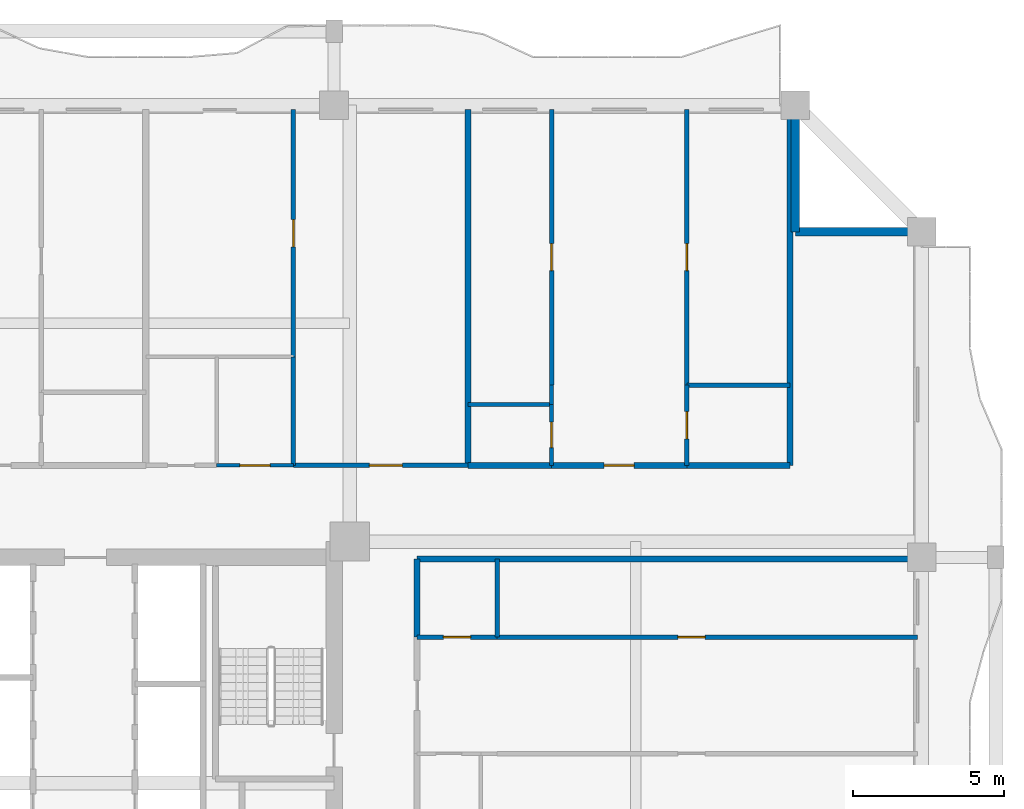
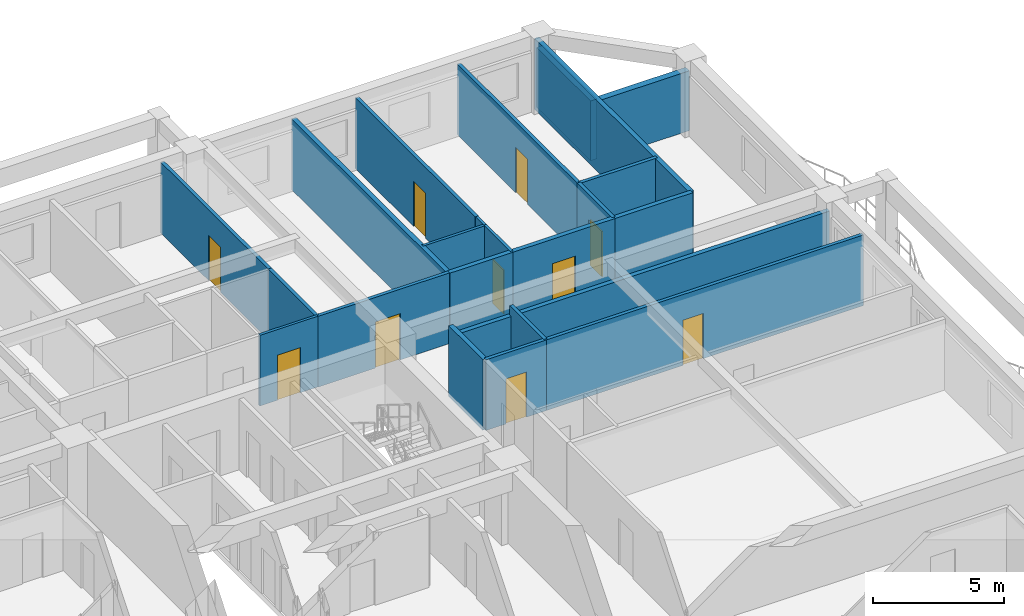
# One storey, part 7 of 17: 23 walls, 10 doors, 10 openings.
"""IFC4 building model written with IfcOpenShell, lengths in metres."""

from ifc_helpers import new_model, si_unit, direction, frame, frame_2d, origin, place, context, subcontext, project, spatial, rectangle, extrude, source, transform, mapped, material, layer, layer_set, type_object, element, fill, save


model = new_model("IFC4")

# Units and contexts
model_context = context("Model", 3, precision=1e-05, world=origin(), true_north=direction((0.0, 1.0)))
body_context = subcontext(model_context, "Body", "Model", "MODEL_VIEW")
ifc_project = project(units=[si_unit("LENGTHUNIT", "METRE"), si_unit("AREAUNIT", "SQUARE_METRE"), si_unit("VOLUMEUNIT", "CUBIC_METRE"), si_unit("PLANEANGLEUNIT", "RADIAN"), si_unit("MASSUNIT", "GRAM", prefix="KILO")], contexts=[model_context])

# Site, building, storey
site_placement = place(None, origin())
site = spatial("IfcSite", under=ifc_project, at=site_placement, CompositionType="ELEMENT")
building_placement = place(site_placement, origin())
building = spatial("IfcBuilding", under=site, at=building_placement, Name="Saelheon Loggia Tower", CompositionType="ELEMENT")
storey_placement = place(building_placement, frame((0.0, 0.0, 74.35009765625)))
storey = spatial("IfcBuildingStorey", under=building, at=storey_placement, Name="L23", CompositionType="ELEMENT", Elevation=74.35009765625)

# Walls
ifc_material_1 = material(Name="Architectural Precast Concrete C40/50", Category="concrete")
ifc_layer_1 = layer(ifc_material_1, 0.280029296875)
ifc_layer_set_1 = layer_set([ifc_layer_1], Name="Architectural Precast Concrete C40/50")
wall_type_1 = type_object("IfcWallType", Name="Wall_Ext_Loggia_280", PredefinedType="SOLIDWALL", material=ifc_layer_set_1)
for number, where, z_axis, x_axis, name in (
    (1, (59.800048828125, 46.800048828125, 0.0), (0.0, 0.0, 1.0), (0.0, 1.0, 0.0), "L23 Corner Notch Precast Wall NE1"),
    (2, (59.800048828125, 46.800048828125, 0.0), (0.0, 0.0, 1.0), (1.0, 0.0, 0.0), "L23 Corner Notch Precast Wall NE2"),
):
    element("IfcWall", number, at=place(storey_placement, frame(where, z_axis=z_axis, x_axis=x_axis)), inside=storey, type_object=wall_type_1, Name=name, PredefinedType="SOLIDWALL", context=body_context, shape_type="SweptSolid", body=[
        extrude(rectangle(XDim=4.119873046875, YDim=0.280029296875, at=frame_2d((2.06005859375, 0.0))), origin(), (0.0, 0.0, 1.0), 2.77978515625),
    ])
ifc_material_2 = material(Name="Lightweight Autoclaved Aerated Concrete Block and Acoustic Gypsum", Category="concrete")
ifc_layer_2 = layer(ifc_material_2, 0.14990234375)
ifc_layer_set_2 = layer_set([ifc_layer_2], Name="Lightweight Autoclaved Aerated Concrete Block and Acoustic Gypsum")
wall_type_2 = type_object("IfcWallType", Name="Wall_Part_150", PredefinedType="PARTITIONING", material=ifc_layer_set_2)
wall_1_placement = place(storey_placement, frame((43.1533203125, 39.050048828125, 0.0), z_axis=(0.0, 0.0, 1.0), x_axis=(0.0, 1.0, 0.0)))
element("IfcWall", 3, at=wall_1_placement, inside=storey, type_object=wall_type_2, Name="L23 N Partition U24", PredefinedType="PARTITIONING", context=body_context, shape_type="SweptSolid", body=[
    extrude(rectangle(XDim=3.599853515625, YDim=0.14990234375, at=frame_2d((1.7998046875, 0.0))), origin(), (0.0, 0.0, 1.0), 3.289794921875),
])

# Wall, opening, door
wall_2_placement = place(storey_placement, frame((43.1533203125, 42.64990234375, 0.0), z_axis=(0.0, 0.0, 1.0), x_axis=(0.0, 1.0, 0.0)))
wall_2 = element("IfcWall", 4, at=wall_2_placement, inside=storey, type_object=wall_type_2, Name="L23 N Partition U25", PredefinedType="PARTITIONING", context=body_context, shape_type="SweptSolid", body=[
    extrude(rectangle(XDim=8.2001953125, YDim=0.14990234375, at=frame_2d((4.10009765625, 0.0))), origin(), (0.0, 0.0, 1.0), 3.289794921875),
])
opening_1_placement = place(wall_2_placement, frame((3.64990234375, 0.0, 0.0)))
opening_1 = element("IfcOpeningElement", 5, at=opening_1_placement, cuts=wall_2, Name="Opening D-IN2", PredefinedType="OPENING", context=body_context, shape_type="SweptSolid", body=[
    extrude(rectangle(XDim=0.89990234375, YDim=2.10009765625, at=frame_2d((0.449951171875, 1.050048828125))), frame((0.0, 0.0869140625, 0.0), z_axis=(0.0, -1.0, 0.0), x_axis=(1.0, 0.0, 0.0)), (0.0, 0.0, 1.0), 0.173828125),
])
ifc_material_3 = material(Name="Engineered Oak Flush Door", Category="timber")
door_type_1 = type_object("IfcDoorType", Name="Door_Int_900", OperationType="NOTDEFINED", PredefinedType="DOOR", material=ifc_material_3)
shared_shape_1 = source(origin(), body_context, "Body", "SweptSolid", [
    extrude(rectangle(XDim=0.89990234375, YDim=2.10009765625, at=frame_2d((0.449951171875, 1.050048828125))), frame((0.0, 0.02490234375, 0.0), z_axis=(0.0, -1.0, 0.0), x_axis=(1.0, 0.0, 0.0)), (0.0, 0.0, 1.0), 0.050048828125),
])
door_1_placement = place(opening_1_placement, origin())
door_1 = element("IfcDoor", 6, at=door_1_placement, inside=storey, type_object=door_type_1, Name="L23 Reading Alcove Door", OperationType="SINGLE_SWING_RIGHT", OverallHeight=2.10009765625, OverallWidth=0.89990234375, PredefinedType="DOOR", context=body_context, shape_type="MappedRepresentation", body=[
    mapped(shared_shape_1, transform((0.0, 0.0, 0.0), scale=1.0)),
])
fill(opening_1, door_1)

wall_3_placement = place(storey_placement, frame((43.1533203125, 39.050048828125, 0.0), z_axis=(0.0, 0.0, 1.0), x_axis=(1.0, 0.0, 0.0)))
wall_3 = element("IfcWall", 7, at=wall_3_placement, inside=storey, type_object=wall_type_2, Name="L23 N Partition V29", PredefinedType="PARTITIONING", context=body_context, shape_type="SweptSolid", body=[
    extrude(rectangle(XDim=5.783203125, YDim=0.14990234375, at=frame_2d((2.8916015625, 0.0))), origin(), (0.0, 0.0, 1.0), 3.289794921875),
])
opening_2_placement = place(wall_3_placement, frame((2.51513671875, 0.0, 0.0)))
opening_2 = element("IfcOpeningElement", 8, at=opening_2_placement, cuts=wall_3, Name="Opening D-FD2", PredefinedType="OPENING", context=body_context, shape_type="SweptSolid", body=[
    extrude(rectangle(XDim=1.10009765625, YDim=2.14990234375, at=frame_2d((0.550048828125, 1.074951171875))), frame((0.0, 0.0869140625, 0.0), z_axis=(0.0, -1.0, 0.0), x_axis=(1.0, 0.0, 0.0)), (0.0, 0.0, 1.0), 0.173828125),
])
ifc_material_4 = material(Name="Galvanised Steel Fire Door", Category="steel")
door_type_2 = type_object("IfcDoorType", Name="Door_Fire_FD60_1100", OperationType="NOTDEFINED", PredefinedType="DOOR", material=ifc_material_4)
shared_shape_2 = source(origin(), body_context, "Body", "SweptSolid", [
    extrude(rectangle(XDim=1.10009765625, YDim=2.14990234375, at=frame_2d((0.550048828125, 1.074951171875))), frame((0.0, 0.02490234375, 0.0), z_axis=(0.0, -1.0, 0.0), x_axis=(1.0, 0.0, 0.0)), (0.0, 0.0, 1.0), 0.050048828125),
])
door_2_placement = place(opening_2_placement, origin())
door_2 = element("IfcDoor", 9, at=door_2_placement, inside=storey, type_object=door_type_2, Name="L23 Public Housing Childcare Playroom Door A", OperationType="SINGLE_SWING_LEFT", OverallHeight=2.14990234375, OverallWidth=1.10009765625, PredefinedType="DOOR", context=body_context, shape_type="MappedRepresentation", body=[
    mapped(shared_shape_2, transform((0.0, 0.0, 0.0), scale=1.0)),
])
fill(opening_2, door_2)

# Wall
wall_4_placement = place(storey_placement, frame((56.201416015625, 41.7099609375, 0.0), z_axis=(0.0, 0.0, 1.0), x_axis=(1.0, 0.0, 0.0)))
element("IfcWall", 10, at=wall_4_placement, inside=storey, type_object=wall_type_2, Name="L23 N Partition V35", PredefinedType="PARTITIONING", context=body_context, shape_type="SweptSolid", body=[
    extrude(rectangle(XDim=3.418701171875, YDim=0.14990234375, at=frame_2d((1.70947265625, 0.0))), origin(), (0.0, 0.0, 1.0), 3.289794921875),
])

# Wall, opening, door
wall_5_placement = place(storey_placement, frame((51.71435546875, 41.7099609375, 0.0), z_axis=(0.0, 0.0, 1.0), x_axis=(0.0, 1.0, 0.0)))
wall_5 = element("IfcWall", 11, at=wall_5_placement, inside=storey, type_object=wall_type_2, Name="L23 N Partition U38", PredefinedType="PARTITIONING", context=body_context, shape_type="SweptSolid", body=[
    extrude(rectangle(XDim=9.14013671875, YDim=0.14990234375, at=frame_2d((4.570068359375, 0.0))), origin(), (0.0, 0.0, 1.0), 3.289794921875),
])
opening_3_placement = place(wall_5_placement, frame((3.796630859375, 0.0, 0.0)))
opening_3 = element("IfcOpeningElement", 12, at=opening_3_placement, cuts=wall_5, Name="Opening D-IN2", PredefinedType="OPENING", context=body_context, shape_type="SweptSolid", body=[
    extrude(rectangle(XDim=0.89990234375, YDim=2.10009765625, at=frame_2d((0.449951171875, 1.050048828125))), frame((0.0, 0.0869140625, 0.0), z_axis=(0.0, -1.0, 0.0), x_axis=(1.0, 0.0, 0.0)), (0.0, 0.0, 1.0), 0.173828125),
])
door_3_placement = place(opening_3_placement, origin())
door_3 = element("IfcDoor", 13, at=door_3_placement, inside=storey, type_object=door_type_1, Name="Unit U02 Bedroom 2 Door", OperationType="SINGLE_SWING_RIGHT", OverallHeight=2.10009765625, OverallWidth=0.89990234375, PredefinedType="DOOR", context=body_context, shape_type="MappedRepresentation", body=[
    mapped(shared_shape_1, transform((0.0, 0.0, 0.0), scale=1.0)),
])
fill(opening_3, door_3)

wall_6_placement = place(storey_placement, frame((56.201416015625, 39.050048828125, 0.0), z_axis=(0.0, 0.0, 1.0), x_axis=(0.0, 1.0, 0.0)))
wall_6 = element("IfcWall", 14, at=wall_6_placement, inside=storey, type_object=wall_type_2, Name="L23 N Partition U39", PredefinedType="PARTITIONING", context=body_context, shape_type="SweptSolid", body=[
    extrude(rectangle(XDim=2.659912109375, YDim=0.14990234375, at=frame_2d((1.330078125, 0.0))), origin(), (0.0, 0.0, 1.0), 3.289794921875),
])
opening_4_placement = place(wall_6_placement, frame((0.8798828125, 0.0, 0.0)))
opening_4 = element("IfcOpeningElement", 15, at=opening_4_placement, cuts=wall_6, Name="Opening D-IN2", PredefinedType="OPENING", context=body_context, shape_type="SweptSolid", body=[
    extrude(rectangle(XDim=0.89990234375, YDim=2.10009765625, at=frame_2d((0.449951171875, 1.050048828125))), frame((0.0, 0.0869140625, 0.0), z_axis=(0.0, -1.0, 0.0), x_axis=(1.0, 0.0, 0.0)), (0.0, 0.0, 1.0), 0.173828125),
])
door_4_placement = place(opening_4_placement, origin())
door_4 = element("IfcDoor", 16, at=door_4_placement, inside=storey, type_object=door_type_1, Name="Unit U02 Kitchen Door", OperationType="SINGLE_SWING_LEFT", OverallHeight=2.10009765625, OverallWidth=0.89990234375, PredefinedType="DOOR", context=body_context, shape_type="MappedRepresentation", body=[
    mapped(shared_shape_1, transform((0.0, 0.0, 0.0), scale=1.0)),
])
fill(opening_4, door_4)

wall_7_placement = place(storey_placement, frame((56.201416015625, 41.7099609375, 0.0), z_axis=(0.0, 0.0, 1.0), x_axis=(0.0, 1.0, 0.0)))
wall_7 = element("IfcWall", 17, at=wall_7_placement, inside=storey, type_object=wall_type_2, Name="L23 N Partition U40", PredefinedType="PARTITIONING", context=body_context, shape_type="SweptSolid", body=[
    extrude(rectangle(XDim=9.14013671875, YDim=0.14990234375, at=frame_2d((4.570068359375, 0.0))), origin(), (0.0, 0.0, 1.0), 3.289794921875),
])
opening_5_placement = place(wall_7_placement, frame((3.796630859375, 0.0, 0.0)))
opening_5 = element("IfcOpeningElement", 18, at=opening_5_placement, cuts=wall_7, Name="Opening D-IN2", PredefinedType="OPENING", context=body_context, shape_type="SweptSolid", body=[
    extrude(rectangle(XDim=0.89990234375, YDim=2.10009765625, at=frame_2d((0.449951171875, 1.050048828125))), frame((0.0, 0.0869140625, 0.0), z_axis=(0.0, -1.0, 0.0), x_axis=(1.0, 0.0, 0.0)), (0.0, 0.0, 1.0), 0.173828125),
])
door_5_placement = place(opening_5_placement, origin())
door_5 = element("IfcDoor", 19, at=door_5_placement, inside=storey, type_object=door_type_1, Name="Unit U02 Bedroom 1 Door", OperationType="SINGLE_SWING_RIGHT", OverallHeight=2.10009765625, OverallWidth=0.89990234375, PredefinedType="DOOR", context=body_context, shape_type="MappedRepresentation", body=[
    mapped(shared_shape_1, transform((0.0, 0.0, 0.0), scale=1.0)),
])
fill(opening_5, door_5)

# Wall
wall_8_placement = place(storey_placement, frame((49.909912109375, 33.35009765625, 0.0), z_axis=(0.0, 0.0, 1.0), x_axis=(0.0, 1.0, 0.0)))
element("IfcWall", 20, at=wall_8_placement, inside=storey, type_object=wall_type_2, Name="L23 E Partition V09", PredefinedType="PARTITIONING", context=body_context, shape_type="SweptSolid", body=[
    extrude(rectangle(XDim=2.599853515625, YDim=0.14990234375, at=frame_2d((1.2998046875, 0.0))), origin(), (0.0, 0.0, 1.0), 3.289794921875),
])

# Wall, opening, door
wall_9_placement = place(storey_placement, frame((47.25, 33.35009765625, 0.0), z_axis=(0.0, 0.0, 1.0), x_axis=(1.0, 0.0, 0.0)))
wall_9 = element("IfcWall", 21, at=wall_9_placement, inside=storey, type_object=wall_type_2, Name="L23 E Partition U13", PredefinedType="PARTITIONING", context=body_context, shape_type="SweptSolid", body=[
    extrude(rectangle(XDim=2.659912109375, YDim=0.14990234375, at=frame_2d((1.330078125, 0.0))), origin(), (0.0, 0.0, 1.0), 3.289794921875),
])
opening_6_placement = place(wall_9_placement, frame((0.8798828125, 0.0, 0.0)))
opening_6 = element("IfcOpeningElement", 22, at=opening_6_placement, cuts=wall_9, Name="Opening D-IN2", PredefinedType="OPENING", context=body_context, shape_type="SweptSolid", body=[
    extrude(rectangle(XDim=0.89990234375, YDim=2.10009765625, at=frame_2d((0.449951171875, 1.050048828125))), frame((0.0, 0.0869140625, 0.0), z_axis=(0.0, -1.0, 0.0), x_axis=(1.0, 0.0, 0.0)), (0.0, 0.0, 1.0), 0.173828125),
])
door_6_placement = place(opening_6_placement, origin())
door_6 = element("IfcDoor", 23, at=door_6_placement, inside=storey, type_object=door_type_1, Name="Unit U04 Dressing Closet Door", OperationType="SINGLE_SWING_LEFT", OverallHeight=2.10009765625, OverallWidth=0.89990234375, PredefinedType="DOOR", context=body_context, shape_type="MappedRepresentation", body=[
    mapped(shared_shape_1, transform((0.0, 0.0, 0.0), scale=1.0)),
])
fill(opening_6, door_6)

wall_10_placement = place(storey_placement, frame((49.909912109375, 33.35009765625, 0.0), z_axis=(0.0, 0.0, 1.0), x_axis=(1.0, 0.0, 0.0)))
wall_10 = element("IfcWall", 24, at=wall_10_placement, inside=storey, type_object=wall_type_2, Name="L23 E Partition U14", PredefinedType="PARTITIONING", context=body_context, shape_type="SweptSolid", body=[
    extrude(rectangle(XDim=13.940185546875, YDim=0.14990234375, at=frame_2d((6.97021484375, 0.0))), origin(), (0.0, 0.0, 1.0), 3.289794921875),
])
opening_7_placement = place(wall_10_placement, frame((5.99658203125, 0.0, 0.0)))
opening_7 = element("IfcOpeningElement", 25, at=opening_7_placement, cuts=wall_10, Name="Opening D-IN2", PredefinedType="OPENING", context=body_context, shape_type="SweptSolid", body=[
    extrude(rectangle(XDim=0.89990234375, YDim=2.10009765625, at=frame_2d((0.449951171875, 1.050048828125))), frame((0.0, 0.0869140625, 0.0), z_axis=(0.0, -1.0, 0.0), x_axis=(1.0, 0.0, 0.0)), (0.0, 0.0, 1.0), 0.173828125),
])
door_7_placement = place(opening_7_placement, origin())
door_7 = element("IfcDoor", 26, at=door_7_placement, inside=storey, type_object=door_type_1, Name="Unit U04 Bedroom 1 Door", OperationType="SINGLE_SWING_RIGHT", OverallHeight=2.10009765625, OverallWidth=0.89990234375, PredefinedType="DOOR", context=body_context, shape_type="MappedRepresentation", body=[
    mapped(shared_shape_1, transform((0.0, 0.0, 0.0), scale=1.0)),
])
fill(opening_7, door_7)

# Walls
ifc_material_5 = material(Name="Double Acoustic Stud and Fireboard Partition", Category="gypsum")
ifc_layer_3 = layer(ifc_material_5, 0.199951171875)
ifc_layer_set_3 = layer_set([ifc_layer_3], Name="Double Acoustic Stud and Fireboard Partition")
wall_type_3 = type_object("IfcWallType", Name="Wall_Party_200", PredefinedType="PARTITIONING", material=ifc_layer_set_3)
for number, where, z_axis, x_axis, name in (
    (27, (59.6201171875, 39.050048828125, 0.0), (0.0, 0.0, 1.0), (0.0, 1.0, 0.0), "L23 N Partition U02"),
    (28, (48.9365234375, 39.050048828125, 0.0), (0.0, 0.0, 1.0), (0.0, 1.0, 0.0), "L23 N Partition U30"),
):
    element("IfcWall", number, at=place(storey_placement, frame(where, z_axis=z_axis, x_axis=x_axis)), inside=storey, type_object=wall_type_3, Name=name, PredefinedType="PARTITIONING", context=body_context, shape_type="SweptSolid", body=[
        extrude(rectangle(XDim=11.800048828125, YDim=0.199951171875, at=frame_2d((5.89990234375, 0.0))), origin(), (0.0, 0.0, 1.0), 3.289794921875),
    ])
wall_11_placement = place(storey_placement, frame((48.9365234375, 39.050048828125, 0.0), z_axis=(0.0, 0.0, 1.0), x_axis=(1.0, 0.0, 0.0)))
element("IfcWall", 29, at=wall_11_placement, inside=storey, type_object=wall_type_3, Name="L23 N Partition V31", PredefinedType="PARTITIONING", context=body_context, shape_type="SweptSolid", body=[
    extrude(rectangle(XDim=2.77783203125, YDim=0.199951171875, at=frame_2d((1.388916015625, 0.0))), origin(), (0.0, 0.0, 1.0), 3.289794921875),
])

# Wall, opening, door
wall_12_placement = place(storey_placement, frame((51.71435546875, 39.050048828125, 0.0), z_axis=(0.0, 0.0, 1.0), x_axis=(1.0, 0.0, 0.0)))
wall_12 = element("IfcWall", 30, at=wall_12_placement, inside=storey, type_object=wall_type_3, Name="L23 N Partition V32", PredefinedType="PARTITIONING", context=body_context, shape_type="SweptSolid", body=[
    extrude(rectangle(XDim=4.487060546875, YDim=0.199951171875, at=frame_2d((2.24365234375, 0.0))), origin(), (0.0, 0.0, 1.0), 3.289794921875),
])
opening_8_placement = place(wall_12_placement, frame((1.743408203125, 0.0, 0.0)))
opening_8 = element("IfcOpeningElement", 31, at=opening_8_placement, cuts=wall_12, Name="Opening D-FD1", PredefinedType="OPENING", context=body_context, shape_type="SweptSolid", body=[
    extrude(rectangle(XDim=1.0, YDim=2.14990234375, at=frame_2d((0.5, 1.074951171875))), frame((0.0, 0.112060546875, 0.0), z_axis=(0.0, -1.0, 0.0), x_axis=(1.0, 0.0, 0.0)), (0.0, 0.0, 1.0), 0.223876953125),
])
ifc_material_6 = material(Name="Fire-Rated Engineered Timber Entrance Door", Category="wood")
door_type_3 = type_object("IfcDoorType", Name="Door_Flat_FD30S", OperationType="NOTDEFINED", PredefinedType="DOOR", material=ifc_material_6)
shared_shape_3 = source(origin(), body_context, "Body", "SweptSolid", [
    extrude(rectangle(XDim=1.0, YDim=2.14990234375, at=frame_2d((0.5, 1.074951171875))), frame((0.0, 0.02490234375, 0.0), z_axis=(0.0, -1.0, 0.0), x_axis=(1.0, 0.0, 0.0)), (0.0, 0.0, 1.0), 0.050048828125),
])
door_8_placement = place(opening_8_placement, origin())
door_8 = element("IfcDoor", 32, at=door_8_placement, inside=storey, type_object=door_type_3, Name="Unit U02 Entrance Door", OperationType="SINGLE_SWING_RIGHT", OverallHeight=2.14990234375, OverallWidth=1.0, PredefinedType="DOOR", context=body_context, shape_type="MappedRepresentation", body=[
    mapped(shared_shape_3, transform((0.0, 0.0, 0.0), scale=1.0)),
])
fill(opening_8, door_8)

# Walls
wall_13_placement = place(storey_placement, frame((56.201416015625, 39.050048828125, 0.0), z_axis=(0.0, 0.0, 1.0), x_axis=(1.0, 0.0, 0.0)))
element("IfcWall", 33, at=wall_13_placement, inside=storey, type_object=wall_type_3, Name="L23 N Partition V33", PredefinedType="PARTITIONING", context=body_context, shape_type="SweptSolid", body=[
    extrude(rectangle(XDim=3.418701171875, YDim=0.199951171875, at=frame_2d((1.70947265625, 0.0))), origin(), (0.0, 0.0, 1.0), 3.289794921875),
])
wall_14_placement = place(storey_placement, frame((47.25, 35.949951171875, 0.0), z_axis=(0.0, 0.0, 1.0), x_axis=(1.0, 0.0, 0.0)))
element("IfcWall", 34, at=wall_14_placement, inside=storey, type_object=wall_type_3, Name="L23 E Partition U02", PredefinedType="PARTITIONING", context=body_context, shape_type="SweptSolid", body=[
    extrude(rectangle(XDim=16.60009765625, YDim=0.199951171875, at=frame_2d((8.300048828125, 0.0))), origin(), (0.0, 0.0, 1.0), 2.83984375),
])
wall_15_placement = place(storey_placement, frame((47.25, 33.35009765625, 0.0), z_axis=(0.0, 0.0, 1.0), x_axis=(0.0, 1.0, 0.0)))
element("IfcWall", 35, at=wall_15_placement, inside=storey, type_object=wall_type_3, Name="L23 E Partition V07", PredefinedType="PARTITIONING", context=body_context, shape_type="SweptSolid", body=[
    extrude(rectangle(XDim=2.599853515625, YDim=0.199951171875, at=frame_2d((1.2998046875, 0.0))), origin(), (0.0, 0.0, 1.0), 3.289794921875),
])

# Wall, opening, door
ifc_material_7 = material(Name="Moisture-Resistant Cement Board Partition", Category="gypsum")
ifc_layer_4 = layer(ifc_material_7, 0.1201171875)
ifc_layer_set_4 = layer_set([ifc_layer_4], Name="Moisture-Resistant Cement Board Partition")
wall_type_4 = type_object("IfcWallType", Name="Wall_WetPart_120", PredefinedType="PARTITIONING", material=ifc_layer_set_4)
wall_16_placement = place(storey_placement, frame((40.603271484375, 39.050048828125, 0.0), z_axis=(0.0, 0.0, 1.0), x_axis=(1.0, 0.0, 0.0)))
wall_16 = element("IfcWall", 36, at=wall_16_placement, inside=storey, type_object=wall_type_4, Name="L23 N Partition V28", PredefinedType="PARTITIONING", context=body_context, shape_type="SweptSolid", body=[
    extrude(rectangle(XDim=2.550048828125, YDim=0.1201171875, at=frame_2d((1.27490234375, 0.0))), origin(), (0.0, 0.0, 1.0), 3.289794921875),
])
opening_9_placement = place(wall_16_placement, frame((0.77490234375, 0.0, 0.0)))
opening_9 = element("IfcOpeningElement", 37, at=opening_9_placement, cuts=wall_16, Name="Opening D-AC1", PredefinedType="OPENING", context=body_context, shape_type="SweptSolid", body=[
    extrude(rectangle(XDim=1.0, YDim=2.10009765625, at=frame_2d((0.5, 1.050048828125))), frame((0.0, 0.072021484375, 0.0), z_axis=(0.0, -1.0, 0.0), x_axis=(1.0, 0.0, 0.0)), (0.0, 0.0, 1.0), 0.14404296875),
])
ifc_material_8 = material(Name="Accessible Laminate Flush Door", Category="timber")
door_type_4 = type_object("IfcDoorType", Name="Door_Acc_1000", OperationType="NOTDEFINED", PredefinedType="DOOR", material=ifc_material_8)
shared_shape_4 = source(origin(), body_context, "Body", "SweptSolid", [
    extrude(rectangle(XDim=1.0, YDim=2.10009765625, at=frame_2d((0.5, 1.050048828125))), frame((0.0, 0.02490234375, 0.0), z_axis=(0.0, -1.0, 0.0), x_axis=(1.0, 0.0, 0.0)), (0.0, 0.0, 1.0), 0.050048828125),
])
door_9_placement = place(opening_9_placement, origin())
door_9 = element("IfcDoor", 38, at=door_9_placement, inside=storey, type_object=door_type_4, Name="L23 Common Washroom Door", OperationType="SINGLE_SWING_RIGHT", OverallHeight=2.10009765625, OverallWidth=1.0, PredefinedType="DOOR", context=body_context, shape_type="MappedRepresentation", body=[
    mapped(shared_shape_4, transform((0.0, 0.0, 0.0), scale=1.0)),
])
fill(opening_9, door_9)

# Wall
wall_17_placement = place(storey_placement, frame((48.9365234375, 41.070068359375, 0.0), z_axis=(0.0, 0.0, 1.0), x_axis=(1.0, 0.0, 0.0)))
element("IfcWall", 39, at=wall_17_placement, inside=storey, type_object=wall_type_4, Name="L23 N Partition V34", PredefinedType="PARTITIONING", context=body_context, shape_type="SweptSolid", body=[
    extrude(rectangle(XDim=2.77783203125, YDim=0.1201171875, at=frame_2d((1.388916015625, 0.0))), origin(), (0.0, 0.0, 1.0), 3.289794921875),
])

# Wall, opening, door
wall_18_placement = place(storey_placement, frame((51.71435546875, 39.050048828125, 0.0), z_axis=(0.0, 0.0, 1.0), x_axis=(0.0, 1.0, 0.0)))
wall_18 = element("IfcWall", 40, at=wall_18_placement, inside=storey, type_object=wall_type_4, Name="L23 N Partition U36", PredefinedType="PARTITIONING", context=body_context, shape_type="SweptSolid", body=[
    extrude(rectangle(XDim=2.02001953125, YDim=0.1201171875, at=frame_2d((1.010009765625, 0.0))), origin(), (0.0, 0.0, 1.0), 3.289794921875),
])
opening_10_placement = place(wall_18_placement, frame((0.5849609375, 0.0, 0.0)))
opening_10 = element("IfcOpeningElement", 41, at=opening_10_placement, cuts=wall_18, Name="Opening D-BT1", PredefinedType="OPENING", context=body_context, shape_type="SweptSolid", body=[
    extrude(rectangle(XDim=0.85009765625, YDim=2.050048828125, at=frame_2d((0.425048828125, 1.02490234375))), frame((0.0, 0.072021484375, 0.0), z_axis=(0.0, -1.0, 0.0), x_axis=(1.0, 0.0, 0.0)), (0.0, 0.0, 1.0), 0.14404296875),
])
ifc_material_9 = material(Name="Moisture-Resistant Laminate Timber Door", Category="wood")
door_type_5 = type_object("IfcDoorType", Name="Door_Bath_850", OperationType="NOTDEFINED", PredefinedType="DOOR", material=ifc_material_9)
shared_shape_5 = source(origin(), body_context, "Body", "SweptSolid", [
    extrude(rectangle(XDim=0.85009765625, YDim=2.050048828125, at=frame_2d((0.425048828125, 1.02490234375))), frame((0.0, 0.02490234375, 0.0), z_axis=(0.0, -1.0, 0.0), x_axis=(1.0, 0.0, 0.0)), (0.0, 0.0, 1.0), 0.050048828125),
])
door_10_placement = place(opening_10_placement, origin())
door_10 = element("IfcDoor", 42, at=door_10_placement, inside=storey, type_object=door_type_5, Name="Unit U02 Bathroom Door", OperationType="SINGLE_SWING_LEFT", OverallHeight=2.050048828125, OverallWidth=0.85009765625, PredefinedType="DOOR", context=body_context, shape_type="MappedRepresentation", body=[
    mapped(shared_shape_5, transform((0.0, 0.0, 0.0), scale=1.0)),
])
fill(opening_10, door_10)

# Wall
wall_19_placement = place(storey_placement, frame((51.71435546875, 41.070068359375, 0.0), z_axis=(0.0, 0.0, 1.0), x_axis=(0.0, 1.0, 0.0)))
element("IfcWall", 43, at=wall_19_placement, inside=storey, type_object=wall_type_4, Name="L23 N Partition U37", PredefinedType="PARTITIONING", context=body_context, shape_type="SweptSolid", body=[
    extrude(rectangle(XDim=0.639892578125, YDim=0.1201171875, at=frame_2d((0.31982421875, 0.0))), origin(), (0.0, 0.0, 1.0), 3.289794921875),
])

save(model, "model.ifc")
